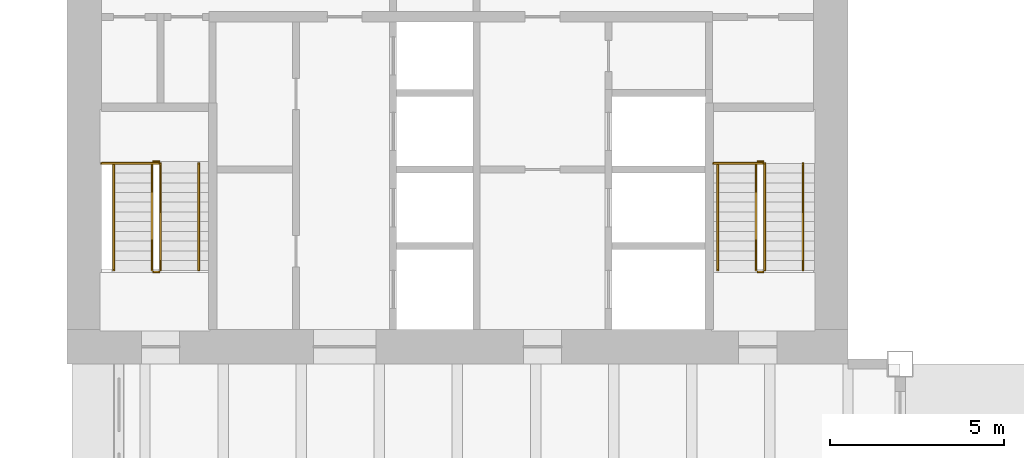
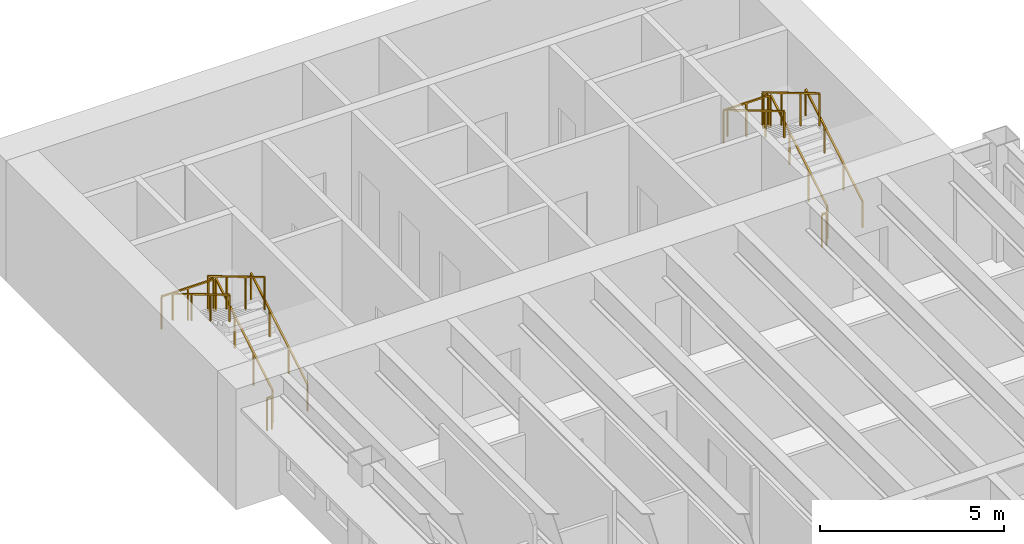
# One storey, part 17 of 17: 14 railings.
"""IFC4 building model written with IfcOpenShell, lengths in metres."""

import ifcopenshell
import ifcopenshell.guid

model = None  # the IFC model being written
_history = None  # IfcOwnerHistory: only IFC2X3 demands one
_inside = {}  # id of a spatial element -> (the spatial element, [elements in it])
_under = {}  # id of a project, library or spatial element -> (it, [spatial elements below it])
_declared = {}  # id of a project -> (the project, [libraries it declares])
_typed = {}  # id of a type object -> (the type object, [elements of that type])
_made_of = {}  # id of a material, layer set ... -> (it, [elements and type objects made of it])


def new_model(schema):
    """Start an empty IFC model of exactly this schema.

    Asked for "IFC4X3", IfcOpenShell would pick the latest addendum, in which some entities
    have other attributes; the version numbers below select the first issue.
    IFC2X3 requires an IfcOwnerHistory on every rooted entity: one is made here for all.
    """
    global model, _history
    if schema == "IFC4X3":
        model = ifcopenshell.file(schema_version=(4, 3, 0, 0))
    else:
        model = ifcopenshell.file(schema=schema)
    _inside.clear()
    _under.clear()
    _declared.clear()
    _typed.clear()
    _made_of.clear()
    _history = None
    if model.schema == "IFC2X3":
        org = make("IfcOrganization", Name="unknown")
        user = make(
            "IfcPersonAndOrganization",
            ThePerson=make("IfcPerson", FamilyName="unknown"),
            TheOrganization=org,
        )
        app = make(
            "IfcApplication",
            ApplicationDeveloper=org,
            Version="unknown",
            ApplicationFullName="unknown",
            ApplicationIdentifier="unknown",
        )
        _history = make(
            "IfcOwnerHistory",
            OwningUser=user,
            OwningApplication=app,
            ChangeAction="ADDED",
            CreationDate=0,
        )
    return model


def make(cls, **values):
    """One entity of the class cls with the attributes given. An attribute that is None is left unset."""
    return model.create_entity(
        cls, **{name: value for name, value in values.items() if value is not None}
    )


def rooted(cls, **values):
    """An entity with a GlobalId (a new one), such as an element, a storey or a relation."""
    return make(cls, GlobalId=ifcopenshell.guid.new(), OwnerHistory=_history, **values)


def si_unit(unit_type, name, prefix=None):
    """IfcSIUnit, for example si_unit("LENGTHUNIT", "METRE", prefix="MILLI")."""
    return make("IfcSIUnit", UnitType=unit_type, Prefix=prefix, Name=name)


def assignment(units):
    """IfcUnitAssignment: the units of a project."""
    return None if units is None else make("IfcUnitAssignment", Units=units)


def point(xyz):
    """IfcCartesianPoint."""
    return None if xyz is None else make("IfcCartesianPoint", Coordinates=xyz)


def direction(xyz):
    """IfcDirection."""
    return None if xyz is None else make("IfcDirection", DirectionRatios=xyz)


def frame(location, z_axis=None, x_axis=None):
    """IfcAxis2Placement3D, a coordinate frame: its origin and axes. An axis left out is left unset."""
    return make(
        "IfcAxis2Placement3D",
        Location=point(location),
        Axis=direction(z_axis),
        RefDirection=direction(x_axis),
    )


def frame_2d(location, x_axis=None):
    """IfcAxis2Placement2D, a coordinate frame in the plane: its origin and x axis."""
    return make(
        "IfcAxis2Placement2D", Location=point(location), RefDirection=direction(x_axis)
    )


def origin():
    """The frame at (0, 0, 0) with its axes left unset."""
    return frame((0.0, 0.0, 0.0))


def origin_2d():
    """The frame at (0, 0) in the plane with its x axis left unset."""
    return frame_2d((0.0, 0.0))


def place(relative_to, where):
    """IfcLocalPlacement: puts the frame where relative to a parent placement (None: the world)."""
    return make(
        "IfcLocalPlacement", PlacementRelTo=relative_to, RelativePlacement=where
    )


def context(
    kind, dimensions, precision=None, world=None, true_north=None, identifier=None
):
    """IfcGeometricRepresentationContext, for example the 3D "Model" context."""
    return make(
        "IfcGeometricRepresentationContext",
        ContextIdentifier=identifier,
        ContextType=kind,
        CoordinateSpaceDimension=dimensions,
        Precision=precision,
        WorldCoordinateSystem=world,
        TrueNorth=true_north,
    )


def subcontext(parent, identifier, kind, view, scale=None):
    """IfcGeometricRepresentationSubContext, for example "Body" below "Model"."""
    return make(
        "IfcGeometricRepresentationSubContext",
        ContextIdentifier=identifier,
        ContextType=kind,
        ParentContext=parent,
        TargetScale=scale,
        TargetView=view,
    )


def project(units=None, contexts=None):
    """IfcProject with its units and contexts."""
    return rooted(
        "IfcProject",
        Name="project",
        RepresentationContexts=contexts,
        UnitsInContext=assignment(units),
    )


def spatial(cls, under=None, at=None, **own):
    """A site, building, storey or space (cls), placed at a placement, below another one or the project."""
    s = rooted(cls, ObjectPlacement=at, **own)
    if under is not None:
        _under.setdefault(under.id(), (under, []))[1].append(s)
    return s


def profile(cls, at=None, kind="AREA", **sizes):
    """A parametric profile (cls). Its sizes go by their IFC names, for example OverallWidth=200.0."""
    return make(cls, ProfileType=kind, Position=at, **sizes)


def rectangle(**sizes):
    """IfcRectangleProfileDef."""
    return profile("IfcRectangleProfileDef", **sizes)


def extrude(swept, where, along, depth):
    """IfcExtrudedAreaSolid: the profile swept, set in the frame where, extruded along a direction by depth."""
    return make(
        "IfcExtrudedAreaSolid",
        SweptArea=swept,
        Position=where,
        ExtrudedDirection=direction(along),
        Depth=depth,
    )


def shape(context_of_items, identifier, shape_type, items):
    """IfcShapeRepresentation: the items that make up one representation, for example the "Body"."""
    return make(
        "IfcShapeRepresentation",
        ContextOfItems=context_of_items,
        RepresentationIdentifier=identifier,
        RepresentationType=shape_type,
        Items=items,
    )


def material(Name=None, Category=None):
    """IfcMaterial."""
    return make("IfcMaterial", Name=Name, Category=Category)


def made_of(thing, what):
    """Note that an element or type object is made of a material, layer set ...; save() writes the relation."""
    if what is not None:
        _made_of.setdefault(what.id(), (what, []))[1].append(thing)
    return thing


def type_object(cls, material=None, **own):
    """A type object (cls), such as IfcWallType, which elements share."""
    return made_of(rooted(cls, **own), material)


def element(
    cls,
    number,
    at=None,
    inside=None,
    cuts=None,
    type_object=None,
    material=None,
    context=None,
    identifier="Body",
    shape_type=None,
    held_by="IfcProductDefinitionShape",
    body=None,
    shapes=None,
    **own,
):
    """One element of the class cls, such as IfcWall. Its Tag is "e" and its number.

    at: its placement. inside: the storey or other place that contains it. cuts: it is an
    opening in that element (IfcRelVoidsElement). A single representation is given by context,
    identifier, shape_type and body (its items); several are given by shapes. held_by: the class
    of the entity that holds the representations. save() writes the other relations.
    """
    e = rooted(cls, Tag="e%d" % number, ObjectPlacement=at, **own)
    if body is not None:
        shapes = [shape(context, identifier, shape_type, body)]
    if shapes is not None:
        e.Representation = make(held_by, Representations=shapes)
    if inside is not None:
        _inside.setdefault(inside.id(), (inside, []))[1].append(e)
    if cuts is not None:
        rooted(
            "IfcRelVoidsElement", RelatingBuildingElement=cuts, RelatedOpeningElement=e
        )
    if type_object is not None:
        _typed.setdefault(type_object.id(), (type_object, []))[1].append(e)
    return made_of(e, material)


def aggregate(whole, parts):
    """IfcRelAggregates: a whole, such as a stair, and the parts it consists of."""
    return rooted("IfcRelAggregates", RelatingObject=whole, RelatedObjects=parts)


def save(model, path):
    """Write the relations noted so far, then the file.

    IfcRelAggregates (storeys below a building ...), IfcRelContainedInSpatialStructure (elements
    in a storey), IfcRelDefinesByType, IfcRelAssociatesMaterial and IfcRelDeclares: one each for
    every whole, place, type object, material and project.
    """
    for whole, parts in _under.values():
        aggregate(whole, parts)
    for where, things in _inside.values():
        rooted(
            "IfcRelContainedInSpatialStructure",
            RelatedElements=things,
            RelatingStructure=where,
        )
    for kind, things in _typed.values():
        rooted("IfcRelDefinesByType", RelatedObjects=things, RelatingType=kind)
    for what, things in _made_of.values():
        rooted("IfcRelAssociatesMaterial", RelatedObjects=things, RelatingMaterial=what)
    for by, libraries in _declared.values():
        rooted("IfcRelDeclares", RelatingContext=by, RelatedDefinitions=libraries)
    model.write(path)


model = new_model("IFC4")

# Units and contexts
model_context = context("Model", 3, precision=1e-05, world=origin(), true_north=direction((0.0, 1.0)))
body_context = subcontext(model_context, "Body", "Model", "MODEL_VIEW")
ifc_project = project(units=[si_unit("LENGTHUNIT", "METRE"), si_unit("AREAUNIT", "SQUARE_METRE"), si_unit("VOLUMEUNIT", "CUBIC_METRE"), si_unit("PLANEANGLEUNIT", "RADIAN"), si_unit("MASSUNIT", "GRAM", prefix="KILO")], contexts=[model_context])

# Site, building, storey
site_placement = place(None, origin())
site = spatial("IfcSite", under=ifc_project, at=site_placement, CompositionType="ELEMENT")
building_placement = place(site_placement, origin())
building = spatial("IfcBuilding", under=site, at=building_placement, Name="Sennacour Bend Tower", CompositionType="ELEMENT")
storey_placement = place(building_placement, frame((0.0, 0.0, 203.0)))
storey = spatial("IfcBuildingStorey", under=building, at=storey_placement, Name="L46", CompositionType="ELEMENT", Elevation=203.0)

# Railings
ifc_material = material(Name="Stainless steel", Category="steel")
railing_type_1 = type_object("IfcRailingType", Name="RL-GUARD-1100", PredefinedType="GUARDRAIL", material=ifc_material)
railing_1_placement = place(storey_placement, frame((2.699951171875, 38.699951171875, 0.166748046875)))
element("IfcRailing", 1, at=railing_1_placement, inside=storey, type_object=railing_type_1, Name="L46 SB1 stair guard 1", PredefinedType="GUARDRAIL", context=body_context, shape_type="SweptSolid", body=[
    extrude(rectangle(XDim=0.048095703125, YDim=0.048095703125, at=origin_2d()), frame((0.0, 0.0, 1.076171875), z_axis=(0.0, 0.859308565015, 0.511457515432), x_axis=(-1.0, 0.0, 0.0)), (0.0, 0.0, 1.0), 3.58447265625),
    extrude(rectangle(XDim=0.0419921875, YDim=0.0419921875, at=origin_2d()), origin(), (0.0, 0.0, 1.0), 1.052001953125),
    extrude(rectangle(XDim=0.0419921875, YDim=0.0419921875, at=origin_2d()), frame((0.0, 1.026611328125, 0.611083984375)), (0.0, 0.0, 1.0), 1.052001953125),
    extrude(rectangle(XDim=0.0419921875, YDim=0.0419921875, at=origin_2d()), frame((0.0, 2.053466796875, 1.22216796875)), (0.0, 0.0, 1.0), 1.052001953125),
    extrude(rectangle(XDim=0.0419921875, YDim=0.0419921875, at=origin_2d()), frame((0.0, 3.080078125, 1.833251953125)), (0.0, 0.0, 1.0), 1.052001953125),
])
railing_2_placement = place(storey_placement, frame((2.64990234375, 41.830078125, 2.0)))
element("IfcRailing", 2, at=railing_2_placement, inside=storey, type_object=railing_type_1, Name="L46 SB1 stair guard 2", PredefinedType="GUARDRAIL", context=body_context, shape_type="SweptSolid", body=[
    extrude(rectangle(XDim=0.048095703125, YDim=0.048095703125, at=origin_2d()), frame((0.0, 0.0, 1.076171875), z_axis=(-1.0, 0.0, 0.0), x_axis=(0.0, -1.0, 0.0)), (0.0, 0.0, 1.0), 0.14990234375),
    extrude(rectangle(XDim=0.0419921875, YDim=0.0419921875, at=origin_2d()), origin(), (0.0, 0.0, 1.0), 1.052001953125),
    extrude(rectangle(XDim=0.0419921875, YDim=0.0419921875, at=origin_2d()), frame((-0.14990234375, 0.0, 0.0)), (0.0, 0.0, 1.0), 1.052001953125),
])
railing_3_placement = place(storey_placement, frame((2.449951171875, 41.780029296875, 2.166748046875)))
element("IfcRailing", 3, at=railing_3_placement, inside=storey, type_object=railing_type_1, Name="L46 SB1 stair guard 4", PredefinedType="GUARDRAIL", context=body_context, shape_type="SweptSolid", body=[
    extrude(rectangle(XDim=0.048095703125, YDim=0.048095703125, at=origin_2d()), frame((0.0, 0.0, 1.076171875), z_axis=(0.0, -0.859308565015, 0.511457515432), x_axis=(1.0, 0.0, 0.0)), (0.0, 0.0, 1.0), 3.58447265625),
    extrude(rectangle(XDim=0.0419921875, YDim=0.0419921875, at=origin_2d()), origin(), (0.0, 0.0, 1.0), 1.052001953125),
    extrude(rectangle(XDim=0.0419921875, YDim=0.0419921875, at=origin_2d()), frame((0.0, -1.026611328125, 0.611083984375)), (0.0, 0.0, 1.0), 1.052001953125),
    extrude(rectangle(XDim=0.0419921875, YDim=0.0419921875, at=origin_2d()), frame((0.0, -2.053466796875, 1.22216796875)), (0.0, 0.0, 1.0), 1.052001953125),
    extrude(rectangle(XDim=0.0419921875, YDim=0.0419921875, at=origin_2d()), frame((0.0, -3.080078125, 1.833251953125)), (0.0, 0.0, 1.0), 1.052001953125),
])
railing_4_placement = place(storey_placement, frame((2.64990234375, 38.64990234375, 0.0)))
element("IfcRailing", 4, at=railing_4_placement, inside=storey, type_object=railing_type_1, Name="L46 SB1 stair guard 5", PredefinedType="GUARDRAIL", context=body_context, shape_type="SweptSolid", body=[
    extrude(rectangle(XDim=0.048095703125, YDim=0.048095703125, at=origin_2d()), frame((0.0, 0.0, 1.076171875), z_axis=(-1.0, 0.0, 0.0), x_axis=(0.0, -1.0, 0.0)), (0.0, 0.0, 1.0), 0.14990234375),
    extrude(rectangle(XDim=0.0419921875, YDim=0.0419921875, at=origin_2d()), origin(), (0.0, 0.0, 1.0), 1.052001953125),
    extrude(rectangle(XDim=0.0419921875, YDim=0.0419921875, at=origin_2d()), frame((-0.14990234375, 0.0, 0.0)), (0.0, 0.0, 1.0), 1.052001953125),
])
railing_5_placement = place(storey_placement, frame((2.64990234375, 41.780029296875, 2.0)))
element("IfcRailing", 5, at=railing_5_placement, inside=storey, type_object=railing_type_1, Name="L46 SB1 landing edge guard 74", PredefinedType="GUARDRAIL", context=body_context, shape_type="SweptSolid", body=[
    extrude(rectangle(XDim=0.048095703125, YDim=0.048095703125, at=origin_2d()), frame((0.0, 0.0, 1.076171875), z_axis=(-1.0, 0.0, 0.0), x_axis=(0.0, -1.0, 0.0)), (0.0, 0.0, 1.0), 1.64990234375),
    extrude(rectangle(XDim=0.0419921875, YDim=0.0419921875, at=origin_2d()), origin(), (0.0, 0.0, 1.0), 1.052001953125),
    extrude(rectangle(XDim=0.0419921875, YDim=0.0419921875, at=origin_2d()), frame((-0.824951171875, 0.0, 0.0)), (0.0, 0.0, 1.0), 1.052001953125),
    extrude(rectangle(XDim=0.0419921875, YDim=0.0419921875, at=origin_2d()), frame((-1.64990234375, 0.0, 0.0)), (0.0, 0.0, 1.0), 1.052001953125),
])
railing_6_placement = place(storey_placement, frame((20.10009765625, 38.699951171875, 0.166748046875)))
element("IfcRailing", 6, at=railing_6_placement, inside=storey, type_object=railing_type_1, Name="L46 SB2 stair guard 1", PredefinedType="GUARDRAIL", context=body_context, shape_type="SweptSolid", body=[
    extrude(rectangle(XDim=0.048095703125, YDim=0.048095703125, at=origin_2d()), frame((0.0, 0.0, 1.076171875), z_axis=(0.0, 0.859308565015, 0.511457515432), x_axis=(-1.0, 0.0, 0.0)), (0.0, 0.0, 1.0), 3.58447265625),
    extrude(rectangle(XDim=0.0419921875, YDim=0.0419921875, at=origin_2d()), origin(), (0.0, 0.0, 1.0), 1.052001953125),
    extrude(rectangle(XDim=0.0419921875, YDim=0.0419921875, at=origin_2d()), frame((0.0, 1.026611328125, 0.611083984375)), (0.0, 0.0, 1.0), 1.052001953125),
    extrude(rectangle(XDim=0.0419921875, YDim=0.0419921875, at=origin_2d()), frame((0.0, 2.053466796875, 1.22216796875)), (0.0, 0.0, 1.0), 1.052001953125),
    extrude(rectangle(XDim=0.0419921875, YDim=0.0419921875, at=origin_2d()), frame((0.0, 3.080078125, 1.833251953125)), (0.0, 0.0, 1.0), 1.052001953125),
])
railing_7_placement = place(storey_placement, frame((20.050048828125, 41.830078125, 2.0)))
element("IfcRailing", 7, at=railing_7_placement, inside=storey, type_object=railing_type_1, Name="L46 SB2 stair guard 2", PredefinedType="GUARDRAIL", context=body_context, shape_type="SweptSolid", body=[
    extrude(rectangle(XDim=0.048095703125, YDim=0.048095703125, at=origin_2d()), frame((0.0, 0.0, 1.076171875), z_axis=(-1.0, 0.0, 0.0), x_axis=(0.0, -1.0, 0.0)), (0.0, 0.0, 1.0), 0.150146484375),
    extrude(rectangle(XDim=0.0419921875, YDim=0.0419921875, at=origin_2d()), origin(), (0.0, 0.0, 1.0), 1.052001953125),
    extrude(rectangle(XDim=0.0419921875, YDim=0.0419921875, at=origin_2d()), frame((-0.150146484375, 0.0, 0.0)), (0.0, 0.0, 1.0), 1.052001953125),
])
railing_8_placement = place(storey_placement, frame((19.85009765625, 41.780029296875, 2.166748046875)))
element("IfcRailing", 8, at=railing_8_placement, inside=storey, type_object=railing_type_1, Name="L46 SB2 stair guard 4", PredefinedType="GUARDRAIL", context=body_context, shape_type="SweptSolid", body=[
    extrude(rectangle(XDim=0.048095703125, YDim=0.048095703125, at=origin_2d()), frame((0.0, 0.0, 1.076171875), z_axis=(0.0, -0.859308565015, 0.511457515432), x_axis=(1.0, 0.0, 0.0)), (0.0, 0.0, 1.0), 3.58447265625),
    extrude(rectangle(XDim=0.0419921875, YDim=0.0419921875, at=origin_2d()), origin(), (0.0, 0.0, 1.0), 1.052001953125),
    extrude(rectangle(XDim=0.0419921875, YDim=0.0419921875, at=origin_2d()), frame((0.0, -1.026611328125, 0.611083984375)), (0.0, 0.0, 1.0), 1.052001953125),
    extrude(rectangle(XDim=0.0419921875, YDim=0.0419921875, at=origin_2d()), frame((0.0, -2.053466796875, 1.22216796875)), (0.0, 0.0, 1.0), 1.052001953125),
    extrude(rectangle(XDim=0.0419921875, YDim=0.0419921875, at=origin_2d()), frame((0.0, -3.080078125, 1.833251953125)), (0.0, 0.0, 1.0), 1.052001953125),
])
railing_9_placement = place(storey_placement, frame((20.050048828125, 38.64990234375, 0.0)))
element("IfcRailing", 9, at=railing_9_placement, inside=storey, type_object=railing_type_1, Name="L46 SB2 stair guard 5", PredefinedType="GUARDRAIL", context=body_context, shape_type="SweptSolid", body=[
    extrude(rectangle(XDim=0.048095703125, YDim=0.048095703125, at=origin_2d()), frame((0.0, 0.0, 1.076171875), z_axis=(-1.0, 0.0, 0.0), x_axis=(0.0, -1.0, 0.0)), (0.0, 0.0, 1.0), 0.150146484375),
    extrude(rectangle(XDim=0.0419921875, YDim=0.0419921875, at=origin_2d()), origin(), (0.0, 0.0, 1.0), 1.052001953125),
    extrude(rectangle(XDim=0.0419921875, YDim=0.0419921875, at=origin_2d()), frame((-0.150146484375, 0.0, 0.0)), (0.0, 0.0, 1.0), 1.052001953125),
])
railing_10_placement = place(storey_placement, frame((20.050048828125, 41.780029296875, 2.0)))
element("IfcRailing", 10, at=railing_10_placement, inside=storey, type_object=railing_type_1, Name="L46 SB2 landing edge guard 63", PredefinedType="GUARDRAIL", context=body_context, shape_type="SweptSolid", body=[
    extrude(rectangle(XDim=0.048095703125, YDim=0.048095703125, at=origin_2d()), frame((0.0, 0.0, 1.076171875), z_axis=(-1.0, 0.0, 0.0), x_axis=(0.0, -1.0, 0.0)), (0.0, 0.0, 1.0), 1.425048828125),
    extrude(rectangle(XDim=0.0419921875, YDim=0.0419921875, at=origin_2d()), origin(), (0.0, 0.0, 1.0), 1.052001953125),
    extrude(rectangle(XDim=0.0419921875, YDim=0.0419921875, at=origin_2d()), frame((-0.71240234375, 0.0, 0.0)), (0.0, 0.0, 1.0), 1.052001953125),
    extrude(rectangle(XDim=0.0419921875, YDim=0.0419921875, at=origin_2d()), frame((-1.425048828125, 0.0, 0.0)), (0.0, 0.0, 1.0), 1.052001953125),
])
railing_type_2 = type_object("IfcRailingType", Name="RL-HANDRAIL-900", PredefinedType="HANDRAIL", material=ifc_material)
railing_11_placement = place(storey_placement, frame((3.800048828125, 38.699951171875, 0.166748046875)))
element("IfcRailing", 11, at=railing_11_placement, inside=storey, type_object=railing_type_2, Name="L46 SB1 stair handrail 1", PredefinedType="HANDRAIL", context=body_context, shape_type="SweptSolid", body=[
    extrude(rectangle(XDim=0.048095703125, YDim=0.048095703125, at=origin_2d()), frame((0.0, 0.0, 0.8759765625), z_axis=(0.0, 0.859308565015, 0.511457515432), x_axis=(-1.0, 0.0, 0.0)), (0.0, 0.0, 1.0), 3.58447265625),
    extrude(rectangle(XDim=0.0419921875, YDim=0.0419921875, at=origin_2d()), origin(), (0.0, 0.0, 1.0), 0.851806640625),
    extrude(rectangle(XDim=0.0419921875, YDim=0.0419921875, at=origin_2d()), frame((0.0, 1.026611328125, 0.611083984375)), (0.0, 0.0, 1.0), 0.851806640625),
    extrude(rectangle(XDim=0.0419921875, YDim=0.0419921875, at=origin_2d()), frame((0.0, 2.053466796875, 1.22216796875)), (0.0, 0.0, 1.0), 0.851806640625),
    extrude(rectangle(XDim=0.0419921875, YDim=0.0419921875, at=origin_2d()), frame((0.0, 3.080078125, 1.833251953125)), (0.0, 0.0, 1.0), 0.851806640625),
])
railing_12_placement = place(storey_placement, frame((1.35009765625, 41.780029296875, 2.166748046875)))
element("IfcRailing", 12, at=railing_12_placement, inside=storey, type_object=railing_type_2, Name="L46 SB1 stair handrail 2", PredefinedType="HANDRAIL", context=body_context, shape_type="SweptSolid", body=[
    extrude(rectangle(XDim=0.048095703125, YDim=0.048095703125, at=origin_2d()), frame((0.0, 0.0, 0.8759765625), z_axis=(0.0, -0.859308565015, 0.511457515432), x_axis=(1.0, 0.0, 0.0)), (0.0, 0.0, 1.0), 3.58447265625),
    extrude(rectangle(XDim=0.0419921875, YDim=0.0419921875, at=origin_2d()), origin(), (0.0, 0.0, 1.0), 0.851806640625),
    extrude(rectangle(XDim=0.0419921875, YDim=0.0419921875, at=origin_2d()), frame((0.0, -1.026611328125, 0.611083984375)), (0.0, 0.0, 1.0), 0.851806640625),
    extrude(rectangle(XDim=0.0419921875, YDim=0.0419921875, at=origin_2d()), frame((0.0, -2.053466796875, 1.22216796875)), (0.0, 0.0, 1.0), 0.851806640625),
    extrude(rectangle(XDim=0.0419921875, YDim=0.0419921875, at=origin_2d()), frame((0.0, -3.080078125, 1.833251953125)), (0.0, 0.0, 1.0), 0.851806640625),
])
railing_13_placement = place(storey_placement, frame((21.199951171875, 38.699951171875, 0.166748046875)))
element("IfcRailing", 13, at=railing_13_placement, inside=storey, type_object=railing_type_2, Name="L46 SB2 stair handrail 1", PredefinedType="HANDRAIL", context=body_context, shape_type="SweptSolid", body=[
    extrude(rectangle(XDim=0.048095703125, YDim=0.048095703125, at=origin_2d()), frame((0.0, 0.0, 0.8759765625), z_axis=(0.0, 0.859308565015, 0.511457515432), x_axis=(-1.0, 0.0, 0.0)), (0.0, 0.0, 1.0), 3.58447265625),
    extrude(rectangle(XDim=0.0419921875, YDim=0.0419921875, at=origin_2d()), origin(), (0.0, 0.0, 1.0), 0.851806640625),
    extrude(rectangle(XDim=0.0419921875, YDim=0.0419921875, at=origin_2d()), frame((0.0, 1.026611328125, 0.611083984375)), (0.0, 0.0, 1.0), 0.851806640625),
    extrude(rectangle(XDim=0.0419921875, YDim=0.0419921875, at=origin_2d()), frame((0.0, 2.053466796875, 1.22216796875)), (0.0, 0.0, 1.0), 0.851806640625),
    extrude(rectangle(XDim=0.0419921875, YDim=0.0419921875, at=origin_2d()), frame((0.0, 3.080078125, 1.833251953125)), (0.0, 0.0, 1.0), 0.851806640625),
])
railing_14_placement = place(storey_placement, frame((18.75, 41.780029296875, 2.166748046875)))
element("IfcRailing", 14, at=railing_14_placement, inside=storey, type_object=railing_type_2, Name="L46 SB2 stair handrail 2", PredefinedType="HANDRAIL", context=body_context, shape_type="SweptSolid", body=[
    extrude(rectangle(XDim=0.048095703125, YDim=0.048095703125, at=origin_2d()), frame((0.0, 0.0, 0.8759765625), z_axis=(0.0, -0.859308565015, 0.511457515432), x_axis=(1.0, 0.0, 0.0)), (0.0, 0.0, 1.0), 3.58447265625),
    extrude(rectangle(XDim=0.0419921875, YDim=0.0419921875, at=origin_2d()), origin(), (0.0, 0.0, 1.0), 0.851806640625),
    extrude(rectangle(XDim=0.0419921875, YDim=0.0419921875, at=origin_2d()), frame((0.0, -1.026611328125, 0.611083984375)), (0.0, 0.0, 1.0), 0.851806640625),
    extrude(rectangle(XDim=0.0419921875, YDim=0.0419921875, at=origin_2d()), frame((0.0, -2.053466796875, 1.22216796875)), (0.0, 0.0, 1.0), 0.851806640625),
    extrude(rectangle(XDim=0.0419921875, YDim=0.0419921875, at=origin_2d()), frame((0.0, -3.080078125, 1.833251953125)), (0.0, 0.0, 1.0), 0.851806640625),
])

save(model, "model.ifc")
